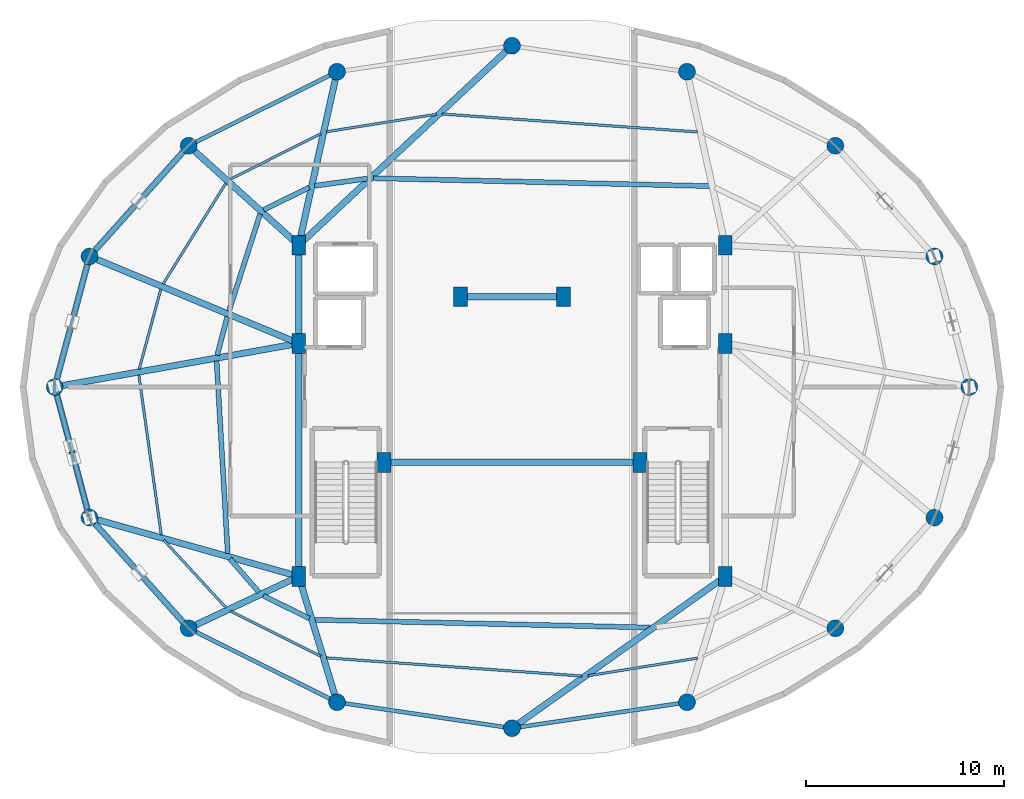
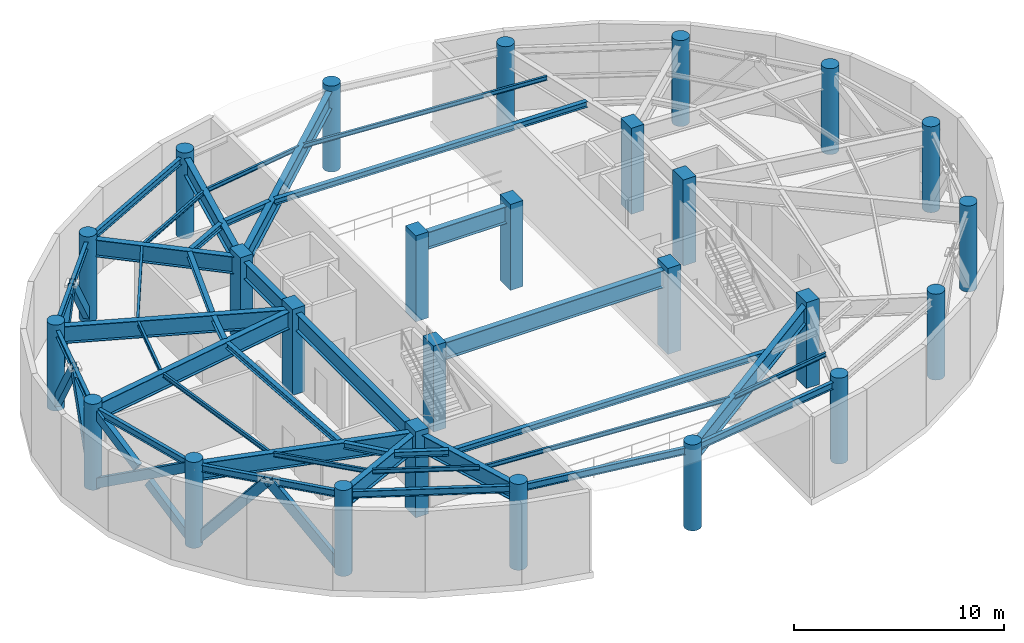
# One storey, part 1 of 7: 40 beams, 26 columns, 9 members.
"""IFC4 building model written with IfcOpenShell, lengths in metres."""

import ifcopenshell
import ifcopenshell.guid

model = None  # the IFC model being written
_history = None  # IfcOwnerHistory: only IFC2X3 demands one
_inside = {}  # id of a spatial element -> (the spatial element, [elements in it])
_under = {}  # id of a project, library or spatial element -> (it, [spatial elements below it])
_declared = {}  # id of a project -> (the project, [libraries it declares])
_typed = {}  # id of a type object -> (the type object, [elements of that type])
_made_of = {}  # id of a material, layer set ... -> (it, [elements and type objects made of it])


def new_model(schema):
    """Start an empty IFC model of exactly this schema.

    Asked for "IFC4X3", IfcOpenShell would pick the latest addendum, in which some entities
    have other attributes; the version numbers below select the first issue.
    IFC2X3 requires an IfcOwnerHistory on every rooted entity: one is made here for all.
    """
    global model, _history
    if schema == "IFC4X3":
        model = ifcopenshell.file(schema_version=(4, 3, 0, 0))
    else:
        model = ifcopenshell.file(schema=schema)
    _inside.clear()
    _under.clear()
    _declared.clear()
    _typed.clear()
    _made_of.clear()
    _history = None
    if model.schema == "IFC2X3":
        org = make("IfcOrganization", Name="unknown")
        user = make(
            "IfcPersonAndOrganization",
            ThePerson=make("IfcPerson", FamilyName="unknown"),
            TheOrganization=org,
        )
        app = make(
            "IfcApplication",
            ApplicationDeveloper=org,
            Version="unknown",
            ApplicationFullName="unknown",
            ApplicationIdentifier="unknown",
        )
        _history = make(
            "IfcOwnerHistory",
            OwningUser=user,
            OwningApplication=app,
            ChangeAction="ADDED",
            CreationDate=0,
        )
    return model


def make(cls, **values):
    """One entity of the class cls with the attributes given. An attribute that is None is left unset."""
    return model.create_entity(
        cls, **{name: value for name, value in values.items() if value is not None}
    )


def rooted(cls, **values):
    """An entity with a GlobalId (a new one), such as an element, a storey or a relation."""
    return make(cls, GlobalId=ifcopenshell.guid.new(), OwnerHistory=_history, **values)


def si_unit(unit_type, name, prefix=None):
    """IfcSIUnit, for example si_unit("LENGTHUNIT", "METRE", prefix="MILLI")."""
    return make("IfcSIUnit", UnitType=unit_type, Prefix=prefix, Name=name)


def assignment(units):
    """IfcUnitAssignment: the units of a project."""
    return None if units is None else make("IfcUnitAssignment", Units=units)


def point(xyz):
    """IfcCartesianPoint."""
    return None if xyz is None else make("IfcCartesianPoint", Coordinates=xyz)


def direction(xyz):
    """IfcDirection."""
    return None if xyz is None else make("IfcDirection", DirectionRatios=xyz)


def frame(location, z_axis=None, x_axis=None):
    """IfcAxis2Placement3D, a coordinate frame: its origin and axes. An axis left out is left unset."""
    return make(
        "IfcAxis2Placement3D",
        Location=point(location),
        Axis=direction(z_axis),
        RefDirection=direction(x_axis),
    )


def frame_2d(location, x_axis=None):
    """IfcAxis2Placement2D, a coordinate frame in the plane: its origin and x axis."""
    return make(
        "IfcAxis2Placement2D", Location=point(location), RefDirection=direction(x_axis)
    )


def origin():
    """The frame at (0, 0, 0) with its axes left unset."""
    return frame((0.0, 0.0, 0.0))


def origin_2d():
    """The frame at (0, 0) in the plane with its x axis left unset."""
    return frame_2d((0.0, 0.0))


def place(relative_to, where):
    """IfcLocalPlacement: puts the frame where relative to a parent placement (None: the world)."""
    return make(
        "IfcLocalPlacement", PlacementRelTo=relative_to, RelativePlacement=where
    )


def context(
    kind, dimensions, precision=None, world=None, true_north=None, identifier=None
):
    """IfcGeometricRepresentationContext, for example the 3D "Model" context."""
    return make(
        "IfcGeometricRepresentationContext",
        ContextIdentifier=identifier,
        ContextType=kind,
        CoordinateSpaceDimension=dimensions,
        Precision=precision,
        WorldCoordinateSystem=world,
        TrueNorth=true_north,
    )


def subcontext(parent, identifier, kind, view, scale=None):
    """IfcGeometricRepresentationSubContext, for example "Body" below "Model"."""
    return make(
        "IfcGeometricRepresentationSubContext",
        ContextIdentifier=identifier,
        ContextType=kind,
        ParentContext=parent,
        TargetScale=scale,
        TargetView=view,
    )


def project(units=None, contexts=None):
    """IfcProject with its units and contexts."""
    return rooted(
        "IfcProject",
        Name="project",
        RepresentationContexts=contexts,
        UnitsInContext=assignment(units),
    )


def spatial(cls, under=None, at=None, **own):
    """A site, building, storey or space (cls), placed at a placement, below another one or the project."""
    s = rooted(cls, ObjectPlacement=at, **own)
    if under is not None:
        _under.setdefault(under.id(), (under, []))[1].append(s)
    return s


def profile(cls, at=None, kind="AREA", **sizes):
    """A parametric profile (cls). Its sizes go by their IFC names, for example OverallWidth=200.0."""
    return make(cls, ProfileType=kind, Position=at, **sizes)


def rectangle(**sizes):
    """IfcRectangleProfileDef."""
    return profile("IfcRectangleProfileDef", **sizes)


def hollow_rectangle(**sizes):
    """IfcRectangleHollowProfileDef."""
    return profile("IfcRectangleHollowProfileDef", **sizes)


def circle(**sizes):
    """IfcCircleProfileDef."""
    return profile("IfcCircleProfileDef", **sizes)


def i_section(**sizes):
    """IfcIShapeProfileDef."""
    return profile("IfcIShapeProfileDef", **sizes)


def extrude(swept, where, along, depth):
    """IfcExtrudedAreaSolid: the profile swept, set in the frame where, extruded along a direction by depth."""
    return make(
        "IfcExtrudedAreaSolid",
        SweptArea=swept,
        Position=where,
        ExtrudedDirection=direction(along),
        Depth=depth,
    )


def shape(context_of_items, identifier, shape_type, items):
    """IfcShapeRepresentation: the items that make up one representation, for example the "Body"."""
    return make(
        "IfcShapeRepresentation",
        ContextOfItems=context_of_items,
        RepresentationIdentifier=identifier,
        RepresentationType=shape_type,
        Items=items,
    )


def material(Name=None, Category=None):
    """IfcMaterial."""
    return make("IfcMaterial", Name=Name, Category=Category)


def material_profile(
    of_material, cross_section, Name=None, Category=None, Priority=None
):
    """IfcMaterialProfile: a cross section and its material."""
    return make(
        "IfcMaterialProfile",
        Name=Name,
        Material=of_material,
        Profile=cross_section,
        Priority=Priority,
        Category=Category,
    )


def profile_set(profiles, Name=None, composite=None):
    """IfcMaterialProfileSet."""
    return make(
        "IfcMaterialProfileSet",
        Name=Name,
        MaterialProfiles=profiles,
        CompositeProfile=composite,
    )


def made_of(thing, what):
    """Note that an element or type object is made of a material, layer set ...; save() writes the relation."""
    if what is not None:
        _made_of.setdefault(what.id(), (what, []))[1].append(thing)
    return thing


def type_object(cls, material=None, **own):
    """A type object (cls), such as IfcWallType, which elements share."""
    return made_of(rooted(cls, **own), material)


def element(
    cls,
    number,
    at=None,
    inside=None,
    cuts=None,
    type_object=None,
    material=None,
    context=None,
    identifier="Body",
    shape_type=None,
    held_by="IfcProductDefinitionShape",
    body=None,
    shapes=None,
    **own,
):
    """One element of the class cls, such as IfcWall. Its Tag is "e" and its number.

    at: its placement. inside: the storey or other place that contains it. cuts: it is an
    opening in that element (IfcRelVoidsElement). A single representation is given by context,
    identifier, shape_type and body (its items); several are given by shapes. held_by: the class
    of the entity that holds the representations. save() writes the other relations.
    """
    e = rooted(cls, Tag="e%d" % number, ObjectPlacement=at, **own)
    if body is not None:
        shapes = [shape(context, identifier, shape_type, body)]
    if shapes is not None:
        e.Representation = make(held_by, Representations=shapes)
    if inside is not None:
        _inside.setdefault(inside.id(), (inside, []))[1].append(e)
    if cuts is not None:
        rooted(
            "IfcRelVoidsElement", RelatingBuildingElement=cuts, RelatedOpeningElement=e
        )
    if type_object is not None:
        _typed.setdefault(type_object.id(), (type_object, []))[1].append(e)
    return made_of(e, material)


def aggregate(whole, parts):
    """IfcRelAggregates: a whole, such as a stair, and the parts it consists of."""
    return rooted("IfcRelAggregates", RelatingObject=whole, RelatedObjects=parts)


def save(model, path):
    """Write the relations noted so far, then the file.

    IfcRelAggregates (storeys below a building ...), IfcRelContainedInSpatialStructure (elements
    in a storey), IfcRelDefinesByType, IfcRelAssociatesMaterial and IfcRelDeclares: one each for
    every whole, place, type object, material and project.
    """
    for whole, parts in _under.values():
        aggregate(whole, parts)
    for where, things in _inside.values():
        rooted(
            "IfcRelContainedInSpatialStructure",
            RelatedElements=things,
            RelatingStructure=where,
        )
    for kind, things in _typed.values():
        rooted("IfcRelDefinesByType", RelatedObjects=things, RelatingType=kind)
    for what, things in _made_of.values():
        rooted("IfcRelAssociatesMaterial", RelatedObjects=things, RelatingMaterial=what)
    for by, libraries in _declared.values():
        rooted("IfcRelDeclares", RelatingContext=by, RelatedDefinitions=libraries)
    model.write(path)


model = new_model("IFC4")

# Units and contexts
model_context = context("Model", 3, precision=1e-05, world=origin(), true_north=direction((0.0, 1.0)))
body_context = subcontext(model_context, "Body", "Model", "MODEL_VIEW")
ifc_project = project(units=[si_unit("LENGTHUNIT", "METRE"), si_unit("AREAUNIT", "SQUARE_METRE"), si_unit("VOLUMEUNIT", "CUBIC_METRE"), si_unit("PLANEANGLEUNIT", "RADIAN"), si_unit("MASSUNIT", "GRAM", prefix="KILO")], contexts=[model_context])

# Site, building, storey
site_placement = place(None, origin())
site = spatial("IfcSite", under=ifc_project, at=site_placement, CompositionType="ELEMENT")
building_placement = place(site_placement, origin())
building = spatial("IfcBuilding", under=site, at=building_placement, Name="Vorneva Point Tower", CompositionType="ELEMENT")
storey_placement = place(building_placement, frame((0.0, 0.0, 280.39990234375)))
storey = spatial("IfcBuildingStorey", under=building, at=storey_placement, Name="L76", CompositionType="ELEMENT", Elevation=280.39990234375)

# Columns
ifc_material_1 = material(Name="Concrete B50 (C40/50)", Category="concrete")
ifc_material_profile_1 = material_profile(ifc_material_1, circle(Radius=0.425048828125, at=origin_2d()), Name="RC-CIRC 850")
ifc_profile_set_1 = profile_set([ifc_material_profile_1], Name="Concrete B50 (C40/50)")
column_type_1 = type_object("IfcColumnType", Name="COL-RC850C", PredefinedType="COLUMN", material=ifc_profile_set_1)
for number, where, z_axis, x_axis, name in (
    (1, (61.050048828125, 26.0, 0.0), (0.0, 0.0, 1.0), (1.0, 0.0, 0.0), "L76 Perimeter Column P01"),
    (2, (59.29541015625, 32.582275390625, 0.0), (0.0, 0.0, 1.0), (0.923879532511, 0.382683432365, 0.0), "L76 Perimeter Column P02"),
    (3, (54.298828125, 38.162109375, 0.0), (0.0, 0.0, 1.0), (0.707106781187, 0.707106781187, 0.0), "L76 Perimeter Column P03"),
    (4, (46.82080078125, 41.890625, 0.0), (0.0, 0.0, 1.0), (0.382683432365, 0.923879532511, 0.0), "L76 Perimeter Column P04"),
    (5, (38.0, 43.199951171875, 0.0), (0.0, 0.0, 1.0), (0.0, 1.0, 0.0), "L76 Perimeter Column P05"),
    (6, (29.17919921875, 41.890625, 0.0), (0.0, 0.0, 1.0), (-0.382683432365, 0.923879532511, 0.0), "L76 Perimeter Column P06"),
    (7, (21.701171875, 38.162109375, 0.0), (0.0, 0.0, 1.0), (-0.707106781187, 0.707106781187, 0.0), "L76 Perimeter Column P07"),
    (8, (16.70458984375, 32.582275390625, 0.0), (0.0, 0.0, 1.0), (-0.923879532511, 0.382683432365, 0.0), "L76 Perimeter Column P08"),
    (9, (14.949951171875, 26.0, 0.0), (0.0, 0.0, 1.0), (-1.0, 0.0, 0.0), "L76 Perimeter Column P09"),
    (10, (16.70458984375, 19.417724609375, 0.0), (0.0, 0.0, 1.0), (-0.923879532511, -0.382683432365, 0.0), "L76 Perimeter Column P10"),
    (11, (21.701171875, 13.837890625, 0.0), (0.0, 0.0, 1.0), (-0.707106781187, -0.707106781187, 0.0), "L76 Perimeter Column P11"),
    (12, (29.17919921875, 10.109375, 0.0), (0.0, 0.0, 1.0), (-0.382683432365, -0.923879532511, 0.0), "L76 Perimeter Column P12"),
    (13, (38.0, 8.800048828125, 0.0), (0.0, 0.0, 1.0), (0.0, -1.0, 0.0), "L76 Perimeter Column P13"),
    (14, (46.82080078125, 10.109375, 0.0), (0.0, 0.0, 1.0), (0.382683432365, -0.923879532511, 0.0), "L76 Perimeter Column P14"),
    (15, (54.298828125, 13.837890625, 0.0), (0.0, 0.0, 1.0), (0.707106781187, -0.707106781187, 0.0), "L76 Perimeter Column P15"),
    (16, (59.29541015625, 19.417724609375, 0.0), (0.0, 0.0, 1.0), (0.923879532511, -0.382683432365, 0.0), "L76 Perimeter Column P16"),
):
    element("IfcColumn", number, at=place(storey_placement, frame(where, z_axis=z_axis, x_axis=x_axis)), inside=storey, type_object=column_type_1, Name=name, PredefinedType="COLUMN", context=body_context, shape_type="SweptSolid", body=[
        extrude(circle(Radius=0.425048828125, at=origin_2d()), origin(), (0.0, 0.0, 1.0), 5.0),
    ])
ifc_material_profile_2 = material_profile(ifc_material_1, rectangle(XDim=0.699951171875, YDim=1.0, at=origin_2d()), Name="RC-PIL 1000x700")
ifc_profile_set_2 = profile_set([ifc_material_profile_2], Name="Concrete B50 (C40/50)")
column_type_2 = type_object("IfcColumnType", Name="PIL-RC1000x700", PredefinedType="PILASTER", material=ifc_profile_set_2)
for number, where, z_axis, x_axis, name in (
    (17, (27.25, 16.449951171875, 0.0), (0.0, 0.0, 1.0), (1.0, 0.0, 0.0), "L76 Core Pilaster CP1"),
    (18, (27.25, 28.199951171875, 0.0), (0.0, 0.0, 1.0), (1.0, 0.0, 0.0), "L76 Core Pilaster CP2"),
    (19, (27.25, 33.14990234375, 0.0), (0.0, 0.0, 1.0), (1.0, 0.0, 0.0), "L76 Core Pilaster CP3"),
    (20, (31.550048828125, 22.199951171875, 0.0), (0.0, 0.0, 1.0), (1.0, 0.0, 0.0), "L76 Core Pilaster CP4"),
    (21, (48.75, 33.14990234375, 0.0), (0.0, 0.0, 1.0), (1.0, 0.0, 0.0), "L76 Core Pilaster CP5"),
    (22, (48.75, 28.199951171875, 0.0), (0.0, 0.0, 1.0), (1.0, 0.0, 0.0), "L76 Core Pilaster CP6"),
    (23, (48.75, 16.449951171875, 0.0), (0.0, 0.0, 1.0), (1.0, 0.0, 0.0), "L76 Core Pilaster CP7"),
    (24, (44.449951171875, 22.199951171875, 0.0), (0.0, 0.0, 1.0), (1.0, 0.0, 0.0), "L76 Core Pilaster CP8"),
    (25, (35.39990234375, 30.550048828125, 0.0), (0.0, 0.0, 1.0), (1.0, 0.0, 0.0), "L76 Core Pilaster CP9"),
    (26, (40.60009765625, 30.550048828125, 0.0), (0.0, 0.0, 1.0), (1.0, 0.0, 0.0), "L76 Core Pilaster CP10"),
):
    element("IfcColumn", number, at=place(storey_placement, frame(where, z_axis=z_axis, x_axis=x_axis)), inside=storey, type_object=column_type_2, Name=name, PredefinedType="PILASTER", context=body_context, shape_type="SweptSolid", body=[
        extrude(rectangle(XDim=0.699951171875, YDim=1.0, at=origin_2d()), origin(), (0.0, 0.0, 1.0), 5.0),
    ])

# Beams
ifc_material_2 = material(Name="Steel S460", Category="steel")
ifc_material_profile_3 = material_profile(ifc_material_2, i_section(OverallWidth=0.320068359375, OverallDepth=0.998046875, WebThickness=0.01708984375, FlangeThickness=0.027099609375, at=origin_2d()), Name="100Sh2")
ifc_profile_set_3 = profile_set([ifc_material_profile_3], Name="Steel S460")
beam_type_1 = type_object("IfcBeamType", Name="BM-GRD-100Sh2", PredefinedType="USERDEFINED", material=ifc_profile_set_3)
beam_1_placement = place(storey_placement, frame((37.6982421875, 42.91796875, 4.191162109375), z_axis=(-0.730485790946, -0.682927894602, 0.0), x_axis=(0.682927894602, -0.730485790946, 0.0)))
element("IfcBeam", 27, at=beam_1_placement, inside=storey, type_object=beam_type_1, Name="L76 Radial Primary Girder 05", ObjectType="GIRDER", PredefinedType="USERDEFINED", context=body_context, shape_type="SweptSolid", body=[
    extrude(i_section(OverallWidth=0.320068359375, OverallDepth=0.998046875, WebThickness=0.01708984375, FlangeThickness=0.027099609375, at=origin_2d()), origin(), (0.0, 0.0, 1.0), 13.963134765625),
])
beam_2_placement = place(storey_placement, frame((29.090087890625, 41.4873046875, 4.191162109375), z_axis=(-0.215520742957, -0.976499262342, 0.0), x_axis=(0.976499262342, -0.215520742957, 0.0)))
element("IfcBeam", 28, at=beam_2_placement, inside=storey, type_object=beam_type_1, Name="L76 Radial Primary Girder 06", ObjectType="GIRDER", PredefinedType="USERDEFINED", context=body_context, shape_type="SweptSolid", body=[
    extrude(i_section(OverallWidth=0.320068359375, OverallDepth=0.998046875, WebThickness=0.01708984375, FlangeThickness=0.027099609375, at=origin_2d()), origin(), (0.0, 0.0, 1.0), 8.197998046875),
])
beam_3_placement = place(storey_placement, frame((22.0078125, 37.885498046875, 4.191162109375), z_axis=(0.7420671051, -0.670325601128, 0.0), x_axis=(0.670325601128, 0.7420671051, 0.0)))
element("IfcBeam", 29, at=beam_3_placement, inside=storey, type_object=beam_type_1, Name="L76 Radial Primary Girder 07", ObjectType="GIRDER", PredefinedType="USERDEFINED", context=body_context, shape_type="SweptSolid", body=[
    extrude(i_section(OverallWidth=0.320068359375, OverallDepth=0.998046875, WebThickness=0.01708984375, FlangeThickness=0.027099609375, at=origin_2d()), origin(), (0.0, 0.0, 1.0), 6.724365234375),
])
beam_4_placement = place(storey_placement, frame((17.0859375, 32.423583984375, 4.191162109375), z_axis=(0.923448932068, -0.383721344027, 0.0), x_axis=(0.383721344027, 0.923448932068, 0.0)))
element("IfcBeam", 30, at=beam_4_placement, inside=storey, type_object=beam_type_1, Name="L76 Radial Primary Girder 08", ObjectType="GIRDER", PredefinedType="USERDEFINED", context=body_context, shape_type="SweptSolid", body=[
    extrude(i_section(OverallWidth=0.320068359375, OverallDepth=0.998046875, WebThickness=0.01708984375, FlangeThickness=0.027099609375, at=origin_2d()), origin(), (0.0, 0.0, 1.0), 10.666748046875),
])
beam_5_placement = place(storey_placement, frame((15.3564453125, 26.07275390625, 4.191162109375), z_axis=(0.9843788355, 0.17606336422, 0.0), x_axis=(-0.17606336422, 0.9843788355, 0.0)))
element("IfcBeam", 31, at=beam_5_placement, inside=storey, type_object=beam_type_1, Name="L76 Radial Primary Girder 09", ObjectType="GIRDER", PredefinedType="USERDEFINED", context=body_context, shape_type="SweptSolid", body=[
    extrude(i_section(OverallWidth=0.320068359375, OverallDepth=0.998046875, WebThickness=0.01708984375, FlangeThickness=0.027099609375, at=origin_2d()), origin(), (0.0, 0.0, 1.0), 11.7421875),
])
beam_6_placement = place(storey_placement, frame((17.102294921875, 19.305908203125, 4.191162109375), z_axis=(0.962601026021, -0.270922986664, 0.0), x_axis=(0.270922986664, 0.962601026021, 0.0)))
element("IfcBeam", 32, at=beam_6_placement, inside=storey, type_object=beam_type_1, Name="L76 Radial Primary Girder 10", ObjectType="GIRDER", PredefinedType="USERDEFINED", context=body_context, shape_type="SweptSolid", body=[
    extrude(i_section(OverallWidth=0.320068359375, OverallDepth=0.998046875, WebThickness=0.01708984375, FlangeThickness=0.027099609375, at=origin_2d()), origin(), (0.0, 0.0, 1.0), 10.201904296875),
])
beam_7_placement = place(storey_placement, frame((22.074951171875, 14.013671875, 4.191162109375), z_axis=(0.904750812805, 0.425941271455, 0.0), x_axis=(-0.425941271455, 0.904750812805, 0.0)))
element("IfcBeam", 33, at=beam_7_placement, inside=storey, type_object=beam_type_1, Name="L76 Radial Primary Girder 11", ObjectType="GIRDER", PredefinedType="USERDEFINED", context=body_context, shape_type="SweptSolid", body=[
    extrude(i_section(OverallWidth=0.320068359375, OverallDepth=0.998046875, WebThickness=0.01708984375, FlangeThickness=0.027099609375, at=origin_2d()), origin(), (0.0, 0.0, 1.0), 5.3798828125),
])
beam_8_placement = place(storey_placement, frame((29.058837890625, 10.50439453125, 4.191162109375), z_axis=(-0.291032624293, 0.956713129207, 0.0), x_axis=(-0.956713129207, -0.291032624293, 0.0)))
element("IfcBeam", 34, at=beam_8_placement, inside=storey, type_object=beam_type_1, Name="L76 Radial Primary Girder 12", ObjectType="GIRDER", PredefinedType="USERDEFINED", context=body_context, shape_type="SweptSolid", body=[
    extrude(i_section(OverallWidth=0.320068359375, OverallDepth=0.998046875, WebThickness=0.01708984375, FlangeThickness=0.027099609375, at=origin_2d()), origin(), (0.0, 0.0, 1.0), 5.874755859375),
])
beam_9_placement = place(storey_placement, frame((38.33642578125, 9.03955078125, 4.191162109375), z_axis=(0.814757147543, 0.579802371958, 0.0), x_axis=(-0.579802371958, 0.814757147543, 0.0)))
element("IfcBeam", 35, at=beam_9_placement, inside=storey, type_object=beam_type_1, Name="L76 Radial Primary Girder 13", ObjectType="GIRDER", PredefinedType="USERDEFINED", context=body_context, shape_type="SweptSolid", body=[
    extrude(i_section(OverallWidth=0.320068359375, OverallDepth=0.998046875, WebThickness=0.01708984375, FlangeThickness=0.027099609375, at=origin_2d()), origin(), (0.0, 0.0, 1.0), 12.441162109375),
])
beam_10_placement = place(storey_placement, frame((27.25, 16.77001953125, 4.191162109375), z_axis=(0.0, 1.0, 0.0), x_axis=(-1.0, 0.0, 0.0)))
element("IfcBeam", 36, at=beam_10_placement, inside=storey, type_object=beam_type_1, Name="L76 Core Tie Girder CT1", ObjectType="GIRDER", PredefinedType="USERDEFINED", context=body_context, shape_type="SweptSolid", body=[
    extrude(i_section(OverallWidth=0.320068359375, OverallDepth=0.998046875, WebThickness=0.01708984375, FlangeThickness=0.027099609375, at=origin_2d()), origin(), (0.0, 0.0, 1.0), 11.10986328125),
])
beam_11_placement = place(storey_placement, frame((27.25, 28.52001953125, 4.191162109375), z_axis=(0.0, 1.0, 0.0), x_axis=(-1.0, 0.0, 0.0)))
element("IfcBeam", 37, at=beam_11_placement, inside=storey, type_object=beam_type_1, Name="L76 Core Tie Girder CT2", ObjectType="GIRDER", PredefinedType="USERDEFINED", context=body_context, shape_type="SweptSolid", body=[
    extrude(i_section(OverallWidth=0.320068359375, OverallDepth=0.998046875, WebThickness=0.01708984375, FlangeThickness=0.027099609375, at=origin_2d()), origin(), (0.0, 0.0, 1.0), 4.31005859375),
])
beam_12_placement = place(storey_placement, frame((35.719970703125, 30.550048828125, 4.191162109375), z_axis=(1.0, 0.0, 0.0), x_axis=(0.0, 1.0, 0.0)))
element("IfcBeam", 38, at=beam_12_placement, inside=storey, type_object=beam_type_1, Name="L76 Core Tie Girder CT8", ObjectType="GIRDER", PredefinedType="USERDEFINED", context=body_context, shape_type="SweptSolid", body=[
    extrude(i_section(OverallWidth=0.320068359375, OverallDepth=0.998046875, WebThickness=0.01708984375, FlangeThickness=0.027099609375, at=origin_2d()), origin(), (0.0, 0.0, 1.0), 4.56005859375),
])
beam_13_placement = place(storey_placement, frame((31.8701171875, 22.199951171875, 4.191162109375), z_axis=(1.0, 0.0, 0.0), x_axis=(0.0, 1.0, 0.0)))
element("IfcBeam", 39, at=beam_13_placement, inside=storey, type_object=beam_type_1, Name="L76 Core Tie Girder CT7", ObjectType="GIRDER", PredefinedType="USERDEFINED", context=body_context, shape_type="SweptSolid", body=[
    extrude(i_section(OverallWidth=0.320068359375, OverallDepth=0.998046875, WebThickness=0.01708984375, FlangeThickness=0.027099609375, at=origin_2d()), origin(), (0.0, 0.0, 1.0), 12.259765625),
])
ifc_material_3 = material(Name="Steel S355", Category="steel")
ifc_material_profile_4 = material_profile(ifc_material_3, i_section(OverallWidth=0.1240234375, OverallDepth=0.248046875, WebThickness=0.0048828125, FlangeThickness=0.008056640625, at=origin_2d()), Name="25B1")
ifc_profile_set_4 = profile_set([ifc_material_profile_4], Name="Steel S355")
beam_type_2 = type_object("IfcBeamType", Name="BM-JST-25B1", PredefinedType="JOIST", material=ifc_profile_set_4)
beam_14_placement = place(storey_placement, frame((47.34521484375, 38.85595703125, 4.566162109375), z_axis=(-0.997536127936, 0.070154639634, 0.0), x_axis=(-0.070154639634, -0.997536127936, 0.0)))
element("IfcBeam", 40, at=beam_14_placement, inside=storey, type_object=beam_type_2, Name="L76 Secondary Floor Beam 1.04", PredefinedType="JOIST", context=body_context, shape_type="SweptSolid", body=[
    extrude(i_section(OverallWidth=0.1240234375, OverallDepth=0.248046875, WebThickness=0.0048828125, FlangeThickness=0.008056640625, at=origin_2d()), origin(), (0.0, 0.0, 1.0), 12.89697265625),
])
beam_15_placement = place(storey_placement, frame((34.186279296875, 39.748046875, 4.566162109375), z_axis=(-0.98761056216, -0.156924751107, 0.0), x_axis=(0.156924751107, -0.98761056216, 0.0)))
element("IfcBeam", 41, at=beam_15_placement, inside=storey, type_object=beam_type_2, Name="L76 Secondary Floor Beam 1.05", PredefinedType="JOIST", context=body_context, shape_type="SweptSolid", body=[
    extrude(i_section(OverallWidth=0.1240234375, OverallDepth=0.248046875, WebThickness=0.0048828125, FlangeThickness=0.008056640625, at=origin_2d()), origin(), (0.0, 0.0, 1.0), 5.602294921875),
])
beam_16_placement = place(storey_placement, frame((28.375, 38.779052734375, 4.566162109375), z_axis=(-0.892844399841, -0.450365271389, 0.0), x_axis=(0.450365271389, -0.892844399841, 0.0)))
element("IfcBeam", 42, at=beam_16_placement, inside=storey, type_object=beam_type_2, Name="L76 Secondary Floor Beam 1.06", PredefinedType="JOIST", context=body_context, shape_type="SweptSolid", body=[
    extrude(i_section(OverallWidth=0.1240234375, OverallDepth=0.248046875, WebThickness=0.0048828125, FlangeThickness=0.008056640625, at=origin_2d()), origin(), (0.0, 0.0, 1.0), 5.13916015625),
])
beam_17_placement = place(storey_placement, frame((23.576171875, 36.272216796875, 4.566162109375), z_axis=(-0.528831069681, -0.848727105576, 0.0), x_axis=(0.848727105576, -0.528831069681, 0.0)))
element("IfcBeam", 43, at=beam_17_placement, inside=storey, type_object=beam_type_2, Name="L76 Secondary Floor Beam 1.07", PredefinedType="JOIST", context=body_context, shape_type="SweptSolid", body=[
    extrude(i_section(OverallWidth=0.1240234375, OverallDepth=0.248046875, WebThickness=0.0048828125, FlangeThickness=0.008056640625, at=origin_2d()), origin(), (0.0, 0.0, 1.0), 5.97802734375),
])
beam_18_placement = place(storey_placement, frame((20.2978515625, 30.93017578125, 4.566162109375), z_axis=(-0.260579227367, -0.965452467118, 0.0), x_axis=(0.965452467118, -0.260579227367, 0.0)))
element("IfcBeam", 44, at=beam_18_placement, inside=storey, type_object=beam_type_2, Name="L76 Secondary Floor Beam 1.08", PredefinedType="JOIST", context=body_context, shape_type="SweptSolid", body=[
    extrude(i_section(OverallWidth=0.1240234375, OverallDepth=0.248046875, WebThickness=0.0048828125, FlangeThickness=0.008056640625, at=origin_2d()), origin(), (0.0, 0.0, 1.0), 4.1767578125),
])
beam_19_placement = place(storey_placement, frame((19.19140625, 26.6083984375, 4.566162109375), z_axis=(0.138836531049, -0.990315312235, 0.0), x_axis=(0.990315312235, 0.138836531049, 0.0)))
element("IfcBeam", 45, at=beam_19_placement, inside=storey, type_object=beam_type_2, Name="L76 Secondary Floor Beam 1.09", PredefinedType="JOIST", context=body_context, shape_type="SweptSolid", body=[
    extrude(i_section(OverallWidth=0.1240234375, OverallDepth=0.248046875, WebThickness=0.0048828125, FlangeThickness=0.008056640625, at=origin_2d()), origin(), (0.0, 0.0, 1.0), 8.14697265625),
])
beam_20_placement = place(storey_placement, frame((20.443115234375, 18.284912109375, 4.566162109375), z_axis=(0.677544055375, -0.735482190829, 0.0), x_axis=(0.735482190829, 0.677544055375, 0.0)))
element("IfcBeam", 46, at=beam_20_placement, inside=storey, type_object=beam_type_2, Name="L76 Secondary Floor Beam 1.10", PredefinedType="JOIST", context=body_context, shape_type="SweptSolid", body=[
    extrude(i_section(OverallWidth=0.1240234375, OverallDepth=0.248046875, WebThickness=0.0048828125, FlangeThickness=0.008056640625, at=origin_2d()), origin(), (0.0, 0.0, 1.0), 4.631103515625),
])
beam_21_placement = place(storey_placement, frame((23.8134765625, 14.70361328125, 4.566162109375), z_axis=(0.894119854325, -0.44782774155, 0.0), x_axis=(0.44782774155, 0.894119854325, 0.0)))
element("IfcBeam", 47, at=beam_21_placement, inside=storey, type_object=beam_type_2, Name="L76 Secondary Floor Beam 1.11", PredefinedType="JOIST", context=body_context, shape_type="SweptSolid", body=[
    extrude(i_section(OverallWidth=0.1240234375, OverallDepth=0.248046875, WebThickness=0.0048828125, FlangeThickness=0.008056640625, at=origin_2d()), origin(), (0.0, 0.0, 1.0), 5.08740234375),
])
beam_22_placement = place(storey_placement, frame((28.642333984375, 12.3486328125, 4.566162109375), z_axis=(0.997473062833, -0.071045681943, 0.0), x_axis=(0.071045681943, 0.997473062833, 0.0)))
element("IfcBeam", 48, at=beam_22_placement, inside=storey, type_object=beam_type_2, Name="L76 Secondary Floor Beam 1.12", PredefinedType="JOIST", context=body_context, shape_type="SweptSolid", body=[
    extrude(i_section(OverallWidth=0.1240234375, OverallDepth=0.248046875, WebThickness=0.0048828125, FlangeThickness=0.008056640625, at=origin_2d()), origin(), (0.0, 0.0, 1.0), 12.92431640625),
])
beam_23_placement = place(storey_placement, frame((41.82763671875, 11.443603515625, 4.566162109375), z_axis=(0.98725150339, 0.159168052868, 0.0), x_axis=(-0.159168052868, 0.98725150339, 0.0)))
element("IfcBeam", 49, at=beam_23_placement, inside=storey, type_object=beam_type_2, Name="L76 Secondary Floor Beam 1.13", PredefinedType="JOIST", context=body_context, shape_type="SweptSolid", body=[
    extrude(i_section(OverallWidth=0.1240234375, OverallDepth=0.248046875, WebThickness=0.0048828125, FlangeThickness=0.008056640625, at=origin_2d()), origin(), (0.0, 0.0, 1.0), 5.603271484375),
])
ifc_material_profile_5 = material_profile(ifc_material_3, i_section(OverallWidth=0.2490234375, OverallDepth=0.333984375, WebThickness=0.008056640625, FlangeThickness=0.010986328125, at=origin_2d()), Name="35Sh1")
ifc_profile_set_5 = profile_set([ifc_material_profile_5], Name="Steel S355")
beam_type_3 = type_object("IfcBeamType", Name="BM-SEC-35Sh1", PredefinedType="BEAM", material=ifc_profile_set_5)
beam_24_placement = place(storey_placement, frame((47.94580078125, 36.127197265625, 4.523193359375), z_axis=(-0.99972363713, 0.023508495562, 0.0), x_axis=(-0.023508495562, -0.99972363713, 0.0)))
element("IfcBeam", 50, at=beam_24_placement, inside=storey, type_object=beam_type_3, Name="L76 Secondary Floor Beam 2.04", PredefinedType="BEAM", context=body_context, shape_type="SweptSolid", body=[
    extrude(i_section(OverallWidth=0.2490234375, OverallDepth=0.333984375, WebThickness=0.008056640625, FlangeThickness=0.010986328125, at=origin_2d()), origin(), (0.0, 0.0, 1.0), 16.938232421875),
])
beam_25_placement = place(storey_placement, frame((30.7177734375, 36.5087890625, 4.523193359375), z_axis=(-0.990749903167, -0.135700513535, 0.0), x_axis=(0.135700513535, -0.990749903167, 0.0)))
element("IfcBeam", 51, at=beam_25_placement, inside=storey, type_object=beam_type_3, Name="L76 Secondary Floor Beam 2.05", PredefinedType="BEAM", context=body_context, shape_type="SweptSolid", body=[
    extrude(i_section(OverallWidth=0.2490234375, OverallDepth=0.333984375, WebThickness=0.008056640625, FlangeThickness=0.010986328125, at=origin_2d()), origin(), (0.0, 0.0, 1.0), 2.689697265625),
])
beam_26_placement = place(storey_placement, frame((27.773681640625, 36.058349609375, 4.523193359375), z_axis=(-0.897146182372, -0.44173377441, 0.0), x_axis=(0.44173377441, -0.897146182372, 0.0)))
element("IfcBeam", 52, at=beam_26_placement, inside=storey, type_object=beam_type_3, Name="L76 Secondary Floor Beam 2.06", PredefinedType="BEAM", context=body_context, shape_type="SweptSolid", body=[
    extrude(i_section(OverallWidth=0.2490234375, OverallDepth=0.333984375, WebThickness=0.008056640625, FlangeThickness=0.010986328125, at=origin_2d()), origin(), (0.0, 0.0, 1.0), 2.55224609375),
])
beam_27_placement = place(storey_placement, frame((25.3056640625, 34.724609375, 4.523193359375), z_axis=(-0.30586797639, -0.95207393674, 0.0), x_axis=(0.95207393674, -0.30586797639, 0.0)))
element("IfcBeam", 53, at=beam_27_placement, inside=storey, type_object=beam_type_3, Name="L76 Secondary Floor Beam 2.07", PredefinedType="BEAM", context=body_context, shape_type="SweptSolid", body=[
    extrude(i_section(OverallWidth=0.2490234375, OverallDepth=0.333984375, WebThickness=0.008056640625, FlangeThickness=0.010986328125, at=origin_2d()), origin(), (0.0, 0.0, 1.0), 5.149169921875),
])
beam_28_placement = place(storey_placement, frame((23.64794921875, 29.5380859375, 4.523193359375), z_axis=(-0.254391299074, -0.967101373671, 0.0), x_axis=(0.967101373671, -0.254391299074, 0.0)))
element("IfcBeam", 54, at=beam_28_placement, inside=storey, type_object=beam_type_3, Name="L76 Secondary Floor Beam 2.08", PredefinedType="BEAM", context=body_context, shape_type="SweptSolid", body=[
    extrude(i_section(OverallWidth=0.2490234375, OverallDepth=0.333984375, WebThickness=0.008056640625, FlangeThickness=0.010986328125, at=origin_2d()), origin(), (0.0, 0.0, 1.0), 2.0029296875),
])
beam_29_placement = place(storey_placement, frame((23.109619140625, 27.31005859375, 4.523193359375), z_axis=(0.057968495295, -0.998318412909, 0.0), x_axis=(0.998318412909, 0.057968495295, 0.0)))
element("IfcBeam", 55, at=beam_29_placement, inside=storey, type_object=beam_type_3, Name="L76 Secondary Floor Beam 2.09", PredefinedType="BEAM", context=body_context, shape_type="SweptSolid", body=[
    extrude(i_section(OverallWidth=0.2490234375, OverallDepth=0.333984375, WebThickness=0.008056640625, FlangeThickness=0.010986328125, at=origin_2d()), origin(), (0.0, 0.0, 1.0), 9.724609375),
])
beam_30_placement = place(storey_placement, frame((23.779052734375, 17.34228515625, 4.523193359375), z_axis=(0.655635665539, -0.755077396081, 0.0), x_axis=(0.755077396081, 0.655635665539, 0.0)))
element("IfcBeam", 56, at=beam_30_placement, inside=storey, type_object=beam_type_3, Name="L76 Secondary Floor Beam 2.10", PredefinedType="BEAM", context=body_context, shape_type="SweptSolid", body=[
    extrude(i_section(OverallWidth=0.2490234375, OverallDepth=0.333984375, WebThickness=0.008056640625, FlangeThickness=0.010986328125, at=origin_2d()), origin(), (0.0, 0.0, 1.0), 2.226806640625),
])
beam_31_placement = place(storey_placement, frame((25.46875, 15.483154296875, 4.523193359375), z_axis=(0.895747500581, -0.444563173467, 0.0), x_axis=(0.444563173467, 0.895747500581, 0.0)))
element("IfcBeam", 57, at=beam_31_placement, inside=storey, type_object=beam_type_3, Name="L76 Secondary Floor Beam 2.11", PredefinedType="BEAM", context=body_context, shape_type="SweptSolid", body=[
    extrude(i_section(OverallWidth=0.2490234375, OverallDepth=0.333984375, WebThickness=0.008056640625, FlangeThickness=0.010986328125, at=origin_2d()), origin(), (0.0, 0.0, 1.0), 2.5810546875),
])
beam_32_placement = place(storey_placement, frame((28.061279296875, 14.2666015625, 4.523193359375), z_axis=(0.999733570418, -0.023082204832, 0.0), x_axis=(0.023082204832, 0.999733570418, 0.0)))
element("IfcBeam", 58, at=beam_32_placement, inside=storey, type_object=beam_type_3, Name="L76 Secondary Floor Beam 2.12", PredefinedType="BEAM", context=body_context, shape_type="SweptSolid", body=[
    extrude(i_section(OverallWidth=0.2490234375, OverallDepth=0.333984375, WebThickness=0.008056640625, FlangeThickness=0.010986328125, at=origin_2d()), origin(), (0.0, 0.0, 1.0), 16.923095703125),
])
ifc_material_profile_6 = material_profile(ifc_material_3, i_section(OverallWidth=0.198974609375, OverallDepth=0.39599609375, WebThickness=0.007080078125, FlangeThickness=0.010986328125, at=origin_2d()), Name="40B1")
ifc_profile_set_6 = profile_set([ifc_material_profile_6], Name="Steel S355")
beam_type_4 = type_object("IfcBeamType", Name="BM-SPN-40B1", PredefinedType="SPANDREL", material=ifc_profile_set_6)
beam_33_placement = place(storey_placement, frame((28.812255859375, 41.707763671875, 4.4921875), z_axis=(-0.894932011528, -0.446202526599, 0.0), x_axis=(0.446202526599, -0.894932011528, 0.0)))
element("IfcBeam", 59, at=beam_33_placement, inside=storey, type_object=beam_type_4, Name="L76 Perimeter Spandrel Ring Beam 06", PredefinedType="SPANDREL", context=body_context, shape_type="SweptSolid", body=[
    extrude(i_section(OverallWidth=0.198974609375, OverallDepth=0.39599609375, WebThickness=0.007080078125, FlangeThickness=0.010986328125, at=origin_2d()), origin(), (0.0, 0.0, 1.0), 7.535888671875),
])
beam_34_placement = place(storey_placement, frame((21.427734375, 37.856689453125, 4.4921875), z_axis=(-0.667108282638, -0.744960763554, 0.0), x_axis=(0.744960763554, -0.667108282638, 0.0)))
element("IfcBeam", 60, at=beam_34_placement, inside=storey, type_object=beam_type_4, Name="L76 Perimeter Spandrel Ring Beam 07", PredefinedType="SPANDREL", context=body_context, shape_type="SweptSolid", body=[
    extrude(i_section(OverallWidth=0.198974609375, OverallDepth=0.39599609375, WebThickness=0.007080078125, FlangeThickness=0.010986328125, at=origin_2d()), origin(), (0.0, 0.0, 1.0), 6.670166015625),
])
for number, where, z_axis, x_axis, name in (
    (61, (16.59912109375, 32.18603515625, 4.4921875), (-0.257586570866, -0.966255224312, 0.0), (0.966255224312, -0.257586570866, 0.0), "L76 Perimeter Spandrel Ring Beam 08"),
    (62, (15.0556640625, 25.603759765625, 4.4921875), (0.257586570866, -0.966255224312, 0.0), (0.966255224312, 0.257586570866, 0.0), "L76 Perimeter Spandrel Ring Beam 09"),
):
    element("IfcBeam", number, at=place(storey_placement, frame(where, z_axis=z_axis, x_axis=x_axis)), inside=storey, type_object=beam_type_4, Name=name, PredefinedType="SPANDREL", context=body_context, shape_type="SweptSolid", body=[
        extrude(i_section(OverallWidth=0.198974609375, OverallDepth=0.39599609375, WebThickness=0.007080078125, FlangeThickness=0.010986328125, at=origin_2d()), origin(), (0.0, 0.0, 1.0), 5.991943359375),
    ])
beam_35_placement = place(storey_placement, frame((16.97802734375, 19.1123046875, 4.4921875), z_axis=(0.667108282638, -0.744960763554, 0.0), x_axis=(0.744960763554, 0.667108282638, 0.0)))
element("IfcBeam", 63, at=beam_35_placement, inside=storey, type_object=beam_type_4, Name="L76 Perimeter Spandrel Ring Beam 10", PredefinedType="SPANDREL", context=body_context, shape_type="SweptSolid", body=[
    extrude(i_section(OverallWidth=0.198974609375, OverallDepth=0.39599609375, WebThickness=0.007080078125, FlangeThickness=0.010986328125, at=origin_2d()), origin(), (0.0, 0.0, 1.0), 6.670166015625),
])
beam_36_placement = place(storey_placement, frame((22.068115234375, 13.65478515625, 4.4921875), z_axis=(0.894932011528, -0.446202526599, 0.0), x_axis=(0.446202526599, 0.894932011528, 0.0)))
element("IfcBeam", 64, at=beam_36_placement, inside=storey, type_object=beam_type_4, Name="L76 Perimeter Spandrel Ring Beam 11", PredefinedType="SPANDREL", context=body_context, shape_type="SweptSolid", body=[
    extrude(i_section(OverallWidth=0.198974609375, OverallDepth=0.39599609375, WebThickness=0.007080078125, FlangeThickness=0.010986328125, at=origin_2d()), origin(), (0.0, 0.0, 1.0), 7.535888671875),
])
for number, where, z_axis, x_axis, name in (
    (65, (29.584716796875, 10.049072265625, 4.4921875), (0.989161657331, -0.146830567886, 0.0), (0.146830567886, 0.989161657331, 0.0), "L76 Perimeter Spandrel Ring Beam 12"),
    (66, (38.405517578125, 8.860107421875, 4.4921875), (0.989161657331, 0.146830567886, 0.0), (-0.146830567886, 0.989161657331, 0.0), "L76 Perimeter Spandrel Ring Beam 13"),
):
    element("IfcBeam", number, at=place(storey_placement, frame(where, z_axis=z_axis, x_axis=x_axis)), inside=storey, type_object=beam_type_4, Name=name, PredefinedType="SPANDREL", context=body_context, shape_type="SweptSolid", body=[
        extrude(i_section(OverallWidth=0.198974609375, OverallDepth=0.39599609375, WebThickness=0.007080078125, FlangeThickness=0.010986328125, at=origin_2d()), origin(), (0.0, 0.0, 1.0), 8.097412109375),
    ])

# Members
ifc_material_profile_7 = material_profile(ifc_material_2, hollow_rectangle(XDim=0.300048828125, YDim=0.5, WallThickness=0.01611328125, at=origin_2d()), Name="PP 500x300x16")
ifc_profile_set_7 = profile_set([ifc_material_profile_7], Name="Steel S460")
member_type = type_object("IfcMemberType", Name="MBR-PRT-PP500", PredefinedType="BRACE", material=ifc_profile_set_7)
for number, where, z_axis, x_axis, name in (
    (67, (21.701171875, 38.162109375, 0.1201171875), (-0.431252130548, -0.481571200603, 0.762961846129), (0.744954798906, -0.66711494331, 0.0), "L76 Perimeter Belt-Truss Diagonal 07A"),
    (68, (16.70458984375, 32.582275390625, 0.1201171875), (0.431243378175, 0.481603569411, 0.762946361621), (-0.744983810219, 0.6670825455, 0.0), "L76 Perimeter Belt-Truss Diagonal 07B"),
):
    element("IfcMember", number, at=place(storey_placement, frame(where, z_axis=z_axis, x_axis=x_axis)), inside=storey, type_object=member_type, Name=name, PredefinedType="BRACE", context=body_context, shape_type="SweptSolid", body=[
        extrude(hollow_rectangle(XDim=0.300048828125, YDim=0.5, WallThickness=0.01611328125, at=origin_2d()), origin(), (0.0, 0.0, 1.0), 5.793212890625),
    ])
for number, where, z_axis, x_axis, name in (
    (69, (16.70458984375, 32.582275390625, 0.1201171875), (-0.157200844235, -0.589820367696, 0.792085745625), (0.96626943078, -0.257533273851, 0.0), "L76 Perimeter Belt-Truss Diagonal 08A"),
    (70, (14.949951171875, 26.0, 0.1201171875), (0.157247572312, 0.589787778177, 0.7921007371), (-0.966246835672, 0.257618036158, 0.0), "L76 Perimeter Belt-Truss Diagonal 08B"),
):
    element("IfcMember", number, at=place(storey_placement, frame(where, z_axis=z_axis, x_axis=x_axis)), inside=storey, type_object=member_type, Name=name, PredefinedType="BRACE", context=body_context, shape_type="SweptSolid", body=[
        extrude(hollow_rectangle(XDim=0.300048828125, YDim=0.5, WallThickness=0.01611328125, at=origin_2d()), origin(), (0.0, 0.0, 1.0), 5.580078125),
    ])
member_1_placement = place(storey_placement, frame((14.949951171875, 26.0, 0.1201171875), z_axis=(0.216077994203, -0.810585613148, 0.544298873945), x_axis=(0.966258134442, 0.257575654176, 0.0)))
element("IfcMember", 71, at=member_1_placement, inside=storey, type_object=member_type, Name="L76 Perimeter Belt-Truss Continuous X-Brace 09A", PredefinedType="BRACE", context=body_context, shape_type="SweptSolid", body=[
    extrude(hollow_rectangle(XDim=0.300048828125, YDim=0.5, WallThickness=0.01611328125, at=origin_2d()), origin(), (0.0, 0.0, 1.0), 8.120361328125),
])
member_2_placement = place(storey_placement, frame((16.70458984375, 19.417724609375, 0.1201171875), z_axis=(-0.216069105537, 0.81059633226, 0.544286439074), x_axis=(-0.966261619174, -0.25756258135, 0.0)))
element("IfcMember", 72, at=member_2_placement, inside=storey, type_object=member_type, Name="L76 Perimeter Belt-Truss Split X-Brace 09B1", PredefinedType="BRACE", context=body_context, shape_type="SweptSolid", body=[
    extrude(hollow_rectangle(XDim=0.300048828125, YDim=0.5, WallThickness=0.01611328125, at=origin_2d()), origin(), (0.0, 0.0, 1.0), 3.620361328125),
])
member_3_placement = place(storey_placement, frame((15.732177734375, 23.065673828125, 2.569580078125), z_axis=(-0.216080917308, 0.810573203848, 0.544316193382), x_axis=(-0.966256285746, -0.257582589195, 0.0)))
element("IfcMember", 73, at=member_3_placement, inside=storey, type_object=member_type, Name="L76 Perimeter Belt-Truss Split X-Brace 09B2", PredefinedType="BRACE", context=body_context, shape_type="SweptSolid", body=[
    extrude(hollow_rectangle(XDim=0.300048828125, YDim=0.5, WallThickness=0.01611328125, at=origin_2d()), origin(), (0.0, 0.0, 1.0), 3.6201171875),
])
for number, where, z_axis, x_axis, name in (
    (74, (16.70458984375, 19.417724609375, 0.1201171875), (0.431243378175, -0.481603569411, 0.762946361621), (0.744983810219, 0.6670825455, 0.0), "L76 Perimeter Belt-Truss Diagonal 10A"),
    (75, (21.701171875, 13.837890625, 0.1201171875), (-0.431252130548, 0.481571200603, 0.762961846129), (-0.744954798906, -0.66711494331, 0.0), "L76 Perimeter Belt-Truss Diagonal 10B"),
):
    element("IfcMember", number, at=place(storey_placement, frame(where, z_axis=z_axis, x_axis=x_axis)), inside=storey, type_object=member_type, Name=name, PredefinedType="BRACE", context=body_context, shape_type="SweptSolid", body=[
        extrude(hollow_rectangle(XDim=0.300048828125, YDim=0.5, WallThickness=0.01611328125, at=origin_2d()), origin(), (0.0, 0.0, 1.0), 5.793212890625),
    ])

save(model, "model.ifc")
